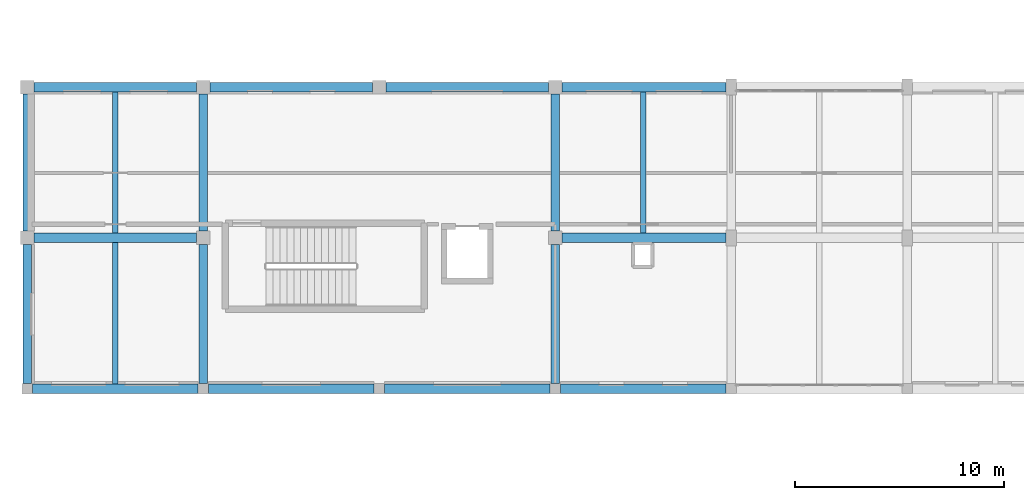
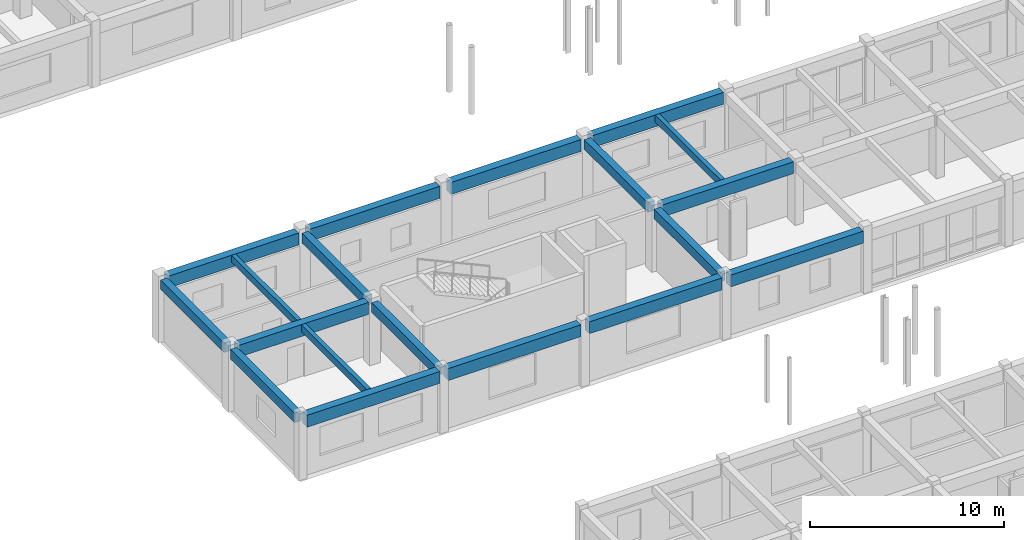
# One storey, part 39 of 90: 19 beams.
"""IFC4 building model written with IfcOpenShell, lengths in metres."""

from ifc_helpers import new_model, si_unit, direction, frame, origin, origin_2d, place, context, subcontext, project, spatial, rectangle, extrude, material, material_profile, profile_set, type_object, element, save


model = new_model("IFC4")

# Units and contexts
model_context = context("Model", 3, precision=1e-05, world=origin(), true_north=direction((0.0, 1.0)))
body_context = subcontext(model_context, "Body", "Model", "MODEL_VIEW")
ifc_project = project(units=[si_unit("LENGTHUNIT", "METRE"), si_unit("AREAUNIT", "SQUARE_METRE"), si_unit("VOLUMEUNIT", "CUBIC_METRE"), si_unit("PLANEANGLEUNIT", "RADIAN"), si_unit("MASSUNIT", "GRAM", prefix="KILO")], contexts=[model_context])

# Site, building, storey
site_placement = place(None, origin())
site = spatial("IfcSite", under=ifc_project, at=site_placement, CompositionType="ELEMENT")
building_placement = place(site_placement, origin())
building = spatial("IfcBuilding", under=site, at=building_placement, Name="Malvenik Polytechnic", CompositionType="ELEMENT")
storey_placement = place(building_placement, frame((0.0, 0.0, 9.300048828125)))
storey = spatial("IfcBuildingStorey", under=building, at=storey_placement, Name="L02", CompositionType="ELEMENT", Elevation=9.300048828125)

# Beams
ifc_material_1 = material(Name="Concrete C35/45", Category="concrete")
ifc_material_profile_1 = material_profile(ifc_material_1, rectangle(XDim=0.449951171875, YDim=0.75, at=origin_2d()), Name="RC BM 450x750")
ifc_profile_set_1 = profile_set([ifc_material_profile_1], Name="Concrete C35/45")
beam_type_1 = type_object("IfcBeamType", Name="STR-BM-B-03", PredefinedType="BEAM", material=ifc_profile_set_1)
beam_1_placement = place(storey_placement, frame((0.322998046875, 86.39990234375, 3.56494140625), z_axis=(1.0, 0.0, 0.0), x_axis=(0.0, 1.0, 0.0)))
element("IfcBeam", 1, at=beam_1_placement, inside=storey, type_object=beam_type_1, Name="Primary Beam B-03 L02 #1392", PredefinedType="BEAM", context=body_context, shape_type="SweptSolid", body=[
    extrude(rectangle(XDim=0.449951171875, YDim=0.75, at=origin_2d()), origin(), (0.0, 0.0, 1.0), 7.75390625),
])
beam_2_placement = place(storey_placement, frame((25.52294921875, 86.39990234375, 3.56494140625), z_axis=(1.0, 0.0, 0.0), x_axis=(0.0, 1.0, 0.0)))
element("IfcBeam", 2, at=beam_2_placement, inside=storey, type_object=beam_type_1, Name="Primary Beam B-03 L02 #1393", PredefinedType="BEAM", context=body_context, shape_type="SweptSolid", body=[
    extrude(rectangle(XDim=0.449951171875, YDim=0.75, at=origin_2d()), origin(), (0.0, 0.0, 1.0), 7.8291015625),
])
ifc_material_profile_2 = material_profile(ifc_material_1, rectangle(XDim=0.39990234375, YDim=0.60009765625, at=origin_2d()), Name="RC BM 400x600")
ifc_profile_set_2 = profile_set([ifc_material_profile_2], Name="Concrete C35/45")
beam_type_2 = type_object("IfcBeamType", Name="STR-BM-B-06", PredefinedType="BEAM", material=ifc_profile_set_2)
beam_3_placement = place(storey_placement, frame((0.0, 79.447998046875, 3.639892578125), z_axis=(0.0, 1.0, 0.0), x_axis=(-1.0, 0.0, 0.0)))
element("IfcBeam", 3, at=beam_3_placement, inside=storey, type_object=beam_type_2, Name="Transverse Beam B-06 L02 #1463", PredefinedType="BEAM", context=body_context, shape_type="SweptSolid", body=[
    extrude(rectangle(XDim=0.39990234375, YDim=0.60009765625, at=origin_2d()), origin(), (0.0, 0.0, 1.0), 6.62890625),
])
beam_4_placement = place(storey_placement, frame((0.0, 86.722900390625, 3.639892578125), z_axis=(0.0, 1.0, 0.0), x_axis=(-1.0, 0.0, 0.0)))
element("IfcBeam", 4, at=beam_4_placement, inside=storey, type_object=beam_type_2, Name="Transverse Beam B-06 L02 #1464", PredefinedType="BEAM", context=body_context, shape_type="SweptSolid", body=[
    extrude(rectangle(XDim=0.39990234375, YDim=0.60009765625, at=origin_2d()), origin(), (0.0, 0.0, 1.0), 6.55419921875),
])
beam_5_placement = place(storey_placement, frame((8.39990234375, 79.447998046875, 3.639892578125), z_axis=(0.0, 1.0, 0.0), x_axis=(-1.0, 0.0, 0.0)))
element("IfcBeam", 5, at=beam_5_placement, inside=storey, type_object=beam_type_2, Name="Transverse Beam B-06 L02 #1469", PredefinedType="BEAM", context=body_context, shape_type="SweptSolid", body=[
    extrude(rectangle(XDim=0.39990234375, YDim=0.60009765625, at=origin_2d()), origin(), (0.0, 0.0, 1.0), 6.62890625),
])
beam_6_placement = place(storey_placement, frame((8.39990234375, 86.722900390625, 3.639892578125), z_axis=(0.0, 1.0, 0.0), x_axis=(-1.0, 0.0, 0.0)))
element("IfcBeam", 6, at=beam_6_placement, inside=storey, type_object=beam_type_2, Name="Transverse Beam B-06 L02 #1470", PredefinedType="BEAM", context=body_context, shape_type="SweptSolid", body=[
    extrude(rectangle(XDim=0.39990234375, YDim=0.60009765625, at=origin_2d()), origin(), (0.0, 0.0, 1.0), 6.55419921875),
])
beam_7_placement = place(storey_placement, frame((25.199951171875, 79.447998046875, 3.639892578125), z_axis=(0.0, 1.0, 0.0), x_axis=(-1.0, 0.0, 0.0)))
element("IfcBeam", 7, at=beam_7_placement, inside=storey, type_object=beam_type_2, Name="Transverse Beam B-06 L02 #1477", PredefinedType="BEAM", context=body_context, shape_type="SweptSolid", body=[
    extrude(rectangle(XDim=0.39990234375, YDim=0.60009765625, at=origin_2d()), origin(), (0.0, 0.0, 1.0), 6.62890625),
])
beam_8_placement = place(storey_placement, frame((25.199951171875, 86.722900390625, 3.639892578125), z_axis=(0.0, 1.0, 0.0), x_axis=(-1.0, 0.0, 0.0)))
element("IfcBeam", 8, at=beam_8_placement, inside=storey, type_object=beam_type_2, Name="Transverse Beam B-06 L02 #1478", PredefinedType="BEAM", context=body_context, shape_type="SweptSolid", body=[
    extrude(rectangle(XDim=0.39990234375, YDim=0.60009765625, at=origin_2d()), origin(), (0.0, 0.0, 1.0), 6.55419921875),
])
ifc_material_2 = material(Name="Concrete C30/37", Category="concrete")
ifc_material_profile_3 = material_profile(ifc_material_2, rectangle(XDim=0.25, YDim=0.449951171875, at=origin_2d()), Name="RC JST 250x450")
ifc_profile_set_3 = profile_set([ifc_material_profile_3], Name="Concrete C30/37")
beam_type_3 = type_object("IfcBeamType", Name="STR-BM-J-02", PredefinedType="JOIST", material=ifc_profile_set_3)
for number, where, z_axis, x_axis, name in (
    (9, (4.199951171875, 79.427978515625, 3.71484375), (0.0, 1.0, 0.0), (-1.0, 0.0, 0.0), "Secondary Rib Joist J-02 L02 #1560"),
    (10, (4.199951171875, 86.623046875, 3.71484375), (0.0, 1.0, 0.0), (-1.0, 0.0, 0.0), "Secondary Rib Joist J-02 L02 #1561"),
    (11, (29.39990234375, 86.623046875, 3.71484375), (0.0, 1.0, 0.0), (-1.0, 0.0, 0.0), "Secondary Rib Joist J-02 L02 #1569"),
):
    element("IfcBeam", number, at=place(storey_placement, frame(where, z_axis=z_axis, x_axis=x_axis)), inside=storey, type_object=beam_type_3, Name=name, PredefinedType="JOIST", context=body_context, shape_type="SweptSolid", body=[
        extrude(rectangle(XDim=0.25, YDim=0.449951171875, at=origin_2d()), origin(), (0.0, 0.0, 1.0), 6.7490234375),
    ])
ifc_material_3 = material(Name="Precast concrete C40/50", Category="concrete")
ifc_material_profile_4 = material_profile(ifc_material_3, rectangle(XDim=0.4599609375, YDim=0.75, at=origin_2d()), Name="PC SPN 460x750")
ifc_profile_set_4 = profile_set([ifc_material_profile_4], Name="Precast concrete C40/50")
beam_type_4 = type_object("IfcBeamType", Name="STR-BM-SP-02", PredefinedType="SPANDREL", material=ifc_profile_set_4)
for number, where, z_axis, x_axis, name in (
    (12, (0.248046875, 79.199951171875, 3.56494140625), (1.0, 0.0, 0.0), (0.0, 1.0, 0.0), "Primary Beam SP-02 L02 #1376"),
    (13, (8.64794921875, 79.199951171875, 3.56494140625), (1.0, 0.0, 0.0), (0.0, 1.0, 0.0), "Primary Beam SP-02 L02 #1377"),
):
    element("IfcBeam", number, at=place(storey_placement, frame(where, z_axis=z_axis, x_axis=x_axis)), inside=storey, type_object=beam_type_4, Name=name, PredefinedType="SPANDREL", context=body_context, shape_type="SweptSolid", body=[
        extrude(rectangle(XDim=0.4599609375, YDim=0.75, at=origin_2d()), origin(), (0.0, 0.0, 1.0), 7.904052734375),
    ])
beam_9_placement = place(storey_placement, frame((17.048095703125, 79.199951171875, 3.56494140625), z_axis=(1.0, 0.0, 0.0), x_axis=(0.0, 1.0, 0.0)))
element("IfcBeam", 14, at=beam_9_placement, inside=storey, type_object=beam_type_4, Name="Primary Beam SP-02 L02 #1378", PredefinedType="SPANDREL", context=body_context, shape_type="SweptSolid", body=[
    extrude(rectangle(XDim=0.4599609375, YDim=0.75, at=origin_2d()), origin(), (0.0, 0.0, 1.0), 7.90380859375),
])
beam_10_placement = place(storey_placement, frame((25.447998046875, 79.199951171875, 3.56494140625), z_axis=(1.0, 0.0, 0.0), x_axis=(0.0, 1.0, 0.0)))
element("IfcBeam", 15, at=beam_10_placement, inside=storey, type_object=beam_type_4, Name="Primary Beam SP-02 L02 #1379", PredefinedType="SPANDREL", context=body_context, shape_type="SweptSolid", body=[
    extrude(rectangle(XDim=0.4599609375, YDim=0.75, at=origin_2d()), origin(), (0.0, 0.0, 1.0), 7.904052734375),
])
beam_11_placement = place(storey_placement, frame((0.322998046875, 93.60009765625, 3.56494140625), z_axis=(1.0, 0.0, 0.0), x_axis=(0.0, 1.0, 0.0)))
element("IfcBeam", 16, at=beam_11_placement, inside=storey, type_object=beam_type_4, Name="Primary Beam SP-02 L02 #1404", PredefinedType="SPANDREL", context=body_context, shape_type="SweptSolid", body=[
    extrude(rectangle(XDim=0.4599609375, YDim=0.75, at=origin_2d()), origin(), (0.0, 0.0, 1.0), 7.75390625),
])
beam_12_placement = place(storey_placement, frame((8.722900390625, 93.60009765625, 3.56494140625), z_axis=(1.0, 0.0, 0.0), x_axis=(0.0, 1.0, 0.0)))
element("IfcBeam", 17, at=beam_12_placement, inside=storey, type_object=beam_type_4, Name="Primary Beam SP-02 L02 #1405", PredefinedType="SPANDREL", context=body_context, shape_type="SweptSolid", body=[
    extrude(rectangle(XDim=0.4599609375, YDim=0.75, at=origin_2d()), origin(), (0.0, 0.0, 1.0), 7.754150390625),
])
beam_13_placement = place(storey_placement, frame((17.123046875, 93.60009765625, 3.56494140625), z_axis=(1.0, 0.0, 0.0), x_axis=(0.0, 1.0, 0.0)))
element("IfcBeam", 18, at=beam_13_placement, inside=storey, type_object=beam_type_4, Name="Primary Beam SP-02 L02 #1406", PredefinedType="SPANDREL", context=body_context, shape_type="SweptSolid", body=[
    extrude(rectangle(XDim=0.4599609375, YDim=0.75, at=origin_2d()), origin(), (0.0, 0.0, 1.0), 7.75390625),
])
beam_14_placement = place(storey_placement, frame((25.52294921875, 93.60009765625, 3.56494140625), z_axis=(1.0, 0.0, 0.0), x_axis=(0.0, 1.0, 0.0)))
element("IfcBeam", 19, at=beam_14_placement, inside=storey, type_object=beam_type_4, Name="Primary Beam SP-02 L02 #1407", PredefinedType="SPANDREL", context=body_context, shape_type="SweptSolid", body=[
    extrude(rectangle(XDim=0.4599609375, YDim=0.75, at=origin_2d()), origin(), (0.0, 0.0, 1.0), 7.8291015625),
])

save(model, "model.ifc")
